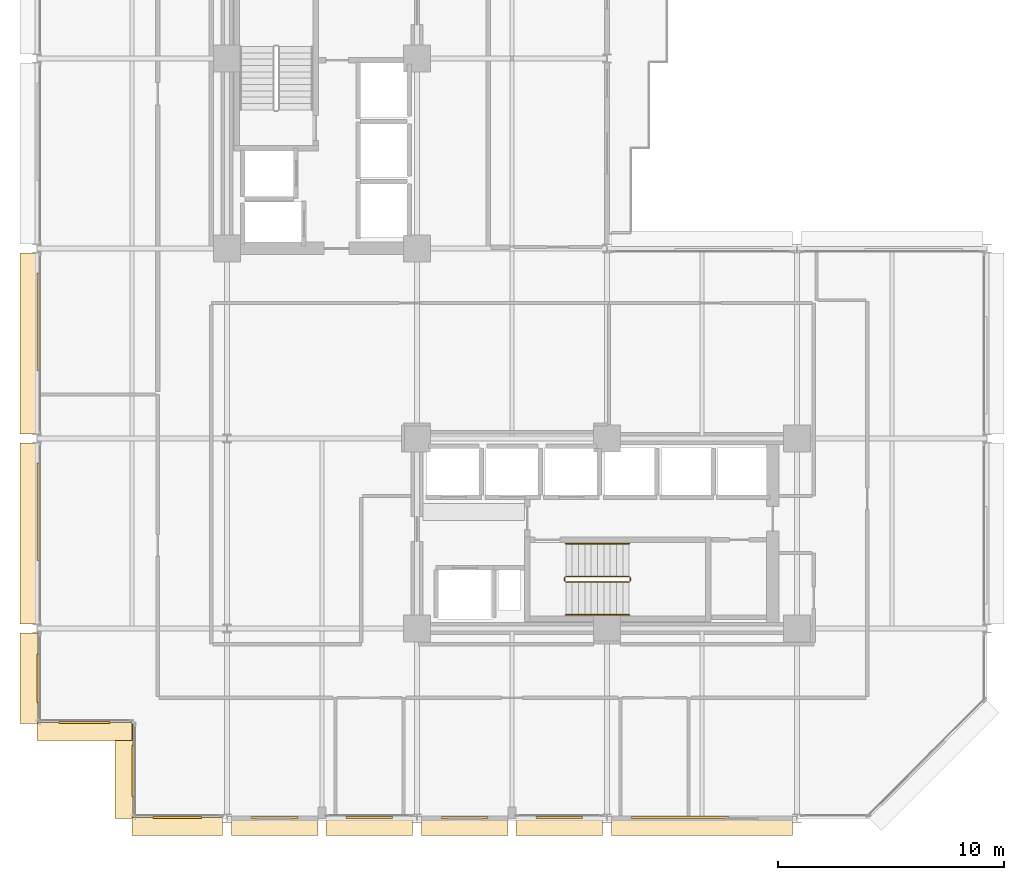
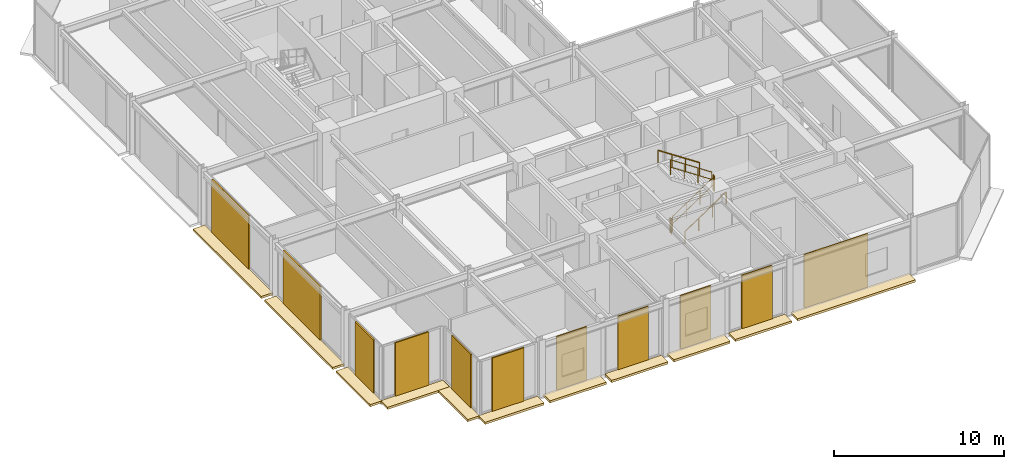
# One storey, part 27 of 30: 22 coverings, 6 railings.
"""IFC4 building model written with IfcOpenShell, lengths in metres."""

from ifc_helpers import new_model, si_unit, direction, frame, origin, origin_2d, place, context, subcontext, project, spatial, polyline, rectangle, circle, outline, extrude, material, layer, layer_set, type_object, element, save


model = new_model("IFC4")

# Units and contexts
model_context = context("Model", 3, precision=1e-05, world=origin(), true_north=direction((0.0, 1.0)))
body_context = subcontext(model_context, "Body", "Model", "MODEL_VIEW")
ifc_project = project(units=[si_unit("LENGTHUNIT", "METRE"), si_unit("AREAUNIT", "SQUARE_METRE"), si_unit("VOLUMEUNIT", "CUBIC_METRE"), si_unit("PLANEANGLEUNIT", "RADIAN"), si_unit("MASSUNIT", "GRAM", prefix="KILO")], contexts=[model_context])

# Site, building, storey
site_placement = place(None, origin())
site = spatial("IfcSite", under=ifc_project, at=site_placement, CompositionType="ELEMENT")
building_placement = place(site_placement, origin())
building = spatial("IfcBuilding", under=site, at=building_placement, Name="Nerrivon Quay Data Exchange", CompositionType="ELEMENT")
storey_placement = place(building_placement, frame((0.0, 0.0, 117.199951171875)))
storey = spatial("IfcBuildingStorey", under=building, at=storey_placement, Name="L27", CompositionType="ELEMENT", Elevation=117.199951171875)

# Coverings
ifc_material_1 = material(Name="Architectural terracotta ceramic", Category="masonry")
ifc_layer_1 = layer(ifc_material_1, 0.159912109375)
ifc_layer_set_1 = layer_set([ifc_layer_1], Name="Architectural terracotta ceramic")
covering_type_1 = type_object("IfcCoveringType", Name="COV-BLD-TERR", PredefinedType="CLADDING", material=ifc_layer_set_1)
covering_1_placement = place(storey_placement, frame((0.0, 0.0, -0.159912109375)))
element("IfcCovering", 1, at=covering_1_placement, inside=storey, type_object=covering_type_1, Name="L27 Horizontal Terracotta SOLAR SCREEN Blade", PredefinedType="CLADDING", context=body_context, shape_type="SweptSolid", body=[
    extrude(outline(polyline([(33.39990234375, 0.0400390625), (25.39990234375, 0.0400390625), (25.39990234375, -0.75), (33.39990234375, -0.75), (33.39990234375, 0.0400390625)])), origin(), (0.0, 0.0, 1.0), 0.159912109375),
])
covering_2_placement = place(storey_placement, frame((0.0, 0.0, -0.159912109375)))
element("IfcCovering", 2, at=covering_2_placement, inside=storey, type_object=covering_type_1, Name="L27 Horizontal Terracotta SOLAR SCREEN Blade", PredefinedType="CLADDING", context=body_context, shape_type="SweptSolid", body=[
    extrude(outline(polyline([(25.0, 0.0400390625), (21.175048828125, 0.0400390625), (21.175048828125, -0.75), (25.0, -0.75), (25.0, 0.0400390625)])), origin(), (0.0, 0.0, 1.0), 0.159912109375),
])
covering_3_placement = place(storey_placement, frame((0.0, 0.0, -0.159912109375)))
element("IfcCovering", 3, at=covering_3_placement, inside=storey, type_object=covering_type_1, Name="L27 Horizontal Terracotta SOLAR SCREEN Blade", PredefinedType="CLADDING", context=body_context, shape_type="SweptSolid", body=[
    extrude(outline(polyline([(20.824951171875, 0.0400390625), (17.0, 0.0400390625), (17.0, -0.75), (20.824951171875, -0.75), (20.824951171875, 0.0400390625)])), origin(), (0.0, 0.0, 1.0), 0.159912109375),
])
covering_4_placement = place(storey_placement, frame((0.0, 0.0, -0.159912109375)))
element("IfcCovering", 4, at=covering_4_placement, inside=storey, type_object=covering_type_1, Name="L27 Horizontal Terracotta SOLAR SCREEN Blade", PredefinedType="CLADDING", context=body_context, shape_type="SweptSolid", body=[
    extrude(outline(polyline([(16.60009765625, 0.0400390625), (12.77490234375, 0.0400390625), (12.77490234375, -0.75), (16.60009765625, -0.75), (16.60009765625, 0.0400390625)])), origin(), (0.0, 0.0, 1.0), 0.159912109375),
])
covering_5_placement = place(storey_placement, frame((0.0, 0.0, -0.159912109375)))
element("IfcCovering", 5, at=covering_5_placement, inside=storey, type_object=covering_type_1, Name="L27 Horizontal Terracotta SOLAR SCREEN Blade", PredefinedType="CLADDING", context=body_context, shape_type="SweptSolid", body=[
    extrude(outline(polyline([(12.425048828125, 0.0400390625), (8.60009765625, 0.0400390625), (8.60009765625, -0.75), (12.425048828125, -0.75), (12.425048828125, 0.0400390625)])), origin(), (0.0, 0.0, 1.0), 0.159912109375),
])
covering_6_placement = place(storey_placement, frame((0.0, 0.0, -0.159912109375)))
element("IfcCovering", 6, at=covering_6_placement, inside=storey, type_object=covering_type_1, Name="L27 Horizontal Terracotta SOLAR SCREEN Blade", PredefinedType="CLADDING", context=body_context, shape_type="SweptSolid", body=[
    extrude(outline(polyline([(8.199951171875, 0.0400390625), (4.199951171875, 0.0400390625), (4.199951171875, -0.75), (8.199951171875, -0.75), (8.199951171875, 0.0400390625)])), origin(), (0.0, 0.0, 1.0), 0.159912109375),
])
covering_7_placement = place(storey_placement, frame((0.0, 0.0, -0.159912109375)))
element("IfcCovering", 7, at=covering_7_placement, inside=storey, type_object=covering_type_1, Name="L27 Horizontal Terracotta SOLAR SCREEN Blade", PredefinedType="CLADDING", context=body_context, shape_type="SweptSolid", body=[
    extrude(outline(polyline([(4.239990234375, 0.0), (4.239990234375, 4.199951171875), (3.449951171875, 4.199951171875), (3.449951171875, 0.0), (4.239990234375, 0.0)])), origin(), (0.0, 0.0, 1.0), 0.159912109375),
])
covering_8_placement = place(storey_placement, frame((0.0, 0.0, -0.159912109375)))
element("IfcCovering", 8, at=covering_8_placement, inside=storey, type_object=covering_type_1, Name="L27 Horizontal Terracotta SOLAR SCREEN Blade", PredefinedType="CLADDING", context=body_context, shape_type="SweptSolid", body=[
    extrude(outline(polyline([(4.199951171875, 4.239990234375), (0.0, 4.239990234375), (0.0, 3.449951171875), (4.199951171875, 3.449951171875), (4.199951171875, 4.239990234375)])), origin(), (0.0, 0.0, 1.0), 0.159912109375),
])
covering_9_placement = place(storey_placement, frame((0.0, 0.0, -0.159912109375)))
element("IfcCovering", 9, at=covering_9_placement, inside=storey, type_object=covering_type_1, Name="L27 Horizontal Terracotta SOLAR SCREEN Blade", PredefinedType="CLADDING", context=body_context, shape_type="SweptSolid", body=[
    extrude(outline(polyline([(0.0400390625, 4.199951171875), (0.0400390625, 8.199951171875), (-0.75, 8.199951171875), (-0.75, 4.199951171875), (0.0400390625, 4.199951171875)])), origin(), (0.0, 0.0, 1.0), 0.159912109375),
])
covering_10_placement = place(storey_placement, frame((0.0, 0.0, -0.159912109375)))
element("IfcCovering", 10, at=covering_10_placement, inside=storey, type_object=covering_type_1, Name="L27 Horizontal Terracotta SOLAR SCREEN Blade", PredefinedType="CLADDING", context=body_context, shape_type="SweptSolid", body=[
    extrude(outline(polyline([(0.0400390625, 8.60009765625), (0.0400390625, 16.60009765625), (-0.75, 16.60009765625), (-0.75, 8.60009765625), (0.0400390625, 8.60009765625)])), origin(), (0.0, 0.0, 1.0), 0.159912109375),
])
covering_11_placement = place(storey_placement, frame((0.0, 0.0, -0.159912109375)))
element("IfcCovering", 11, at=covering_11_placement, inside=storey, type_object=covering_type_1, Name="L27 Horizontal Terracotta SOLAR SCREEN Blade", PredefinedType="CLADDING", context=body_context, shape_type="SweptSolid", body=[
    extrude(outline(polyline([(0.0400390625, 17.0), (0.0400390625, 25.0), (-0.75, 25.0), (-0.75, 17.0), (0.0400390625, 17.0)])), origin(), (0.0, 0.0, 1.0), 0.159912109375),
])
ifc_layer_2 = layer(ifc_material_1, 0.090087890625)
ifc_layer_set_2 = layer_set([ifc_layer_2], Name="Architectural terracotta ceramic")
covering_type_2 = type_object("IfcCoveringType", Name="COV-SCR-TERR", PredefinedType="CLADDING", material=ifc_layer_set_2)
covering_12_placement = place(storey_placement, frame((28.43994140625, 0.044921875, 0.0), z_axis=(0.0, 0.0, 1.0), x_axis=(-1.0, 0.0, 0.0)))
element("IfcCovering", 12, at=covering_12_placement, inside=storey, type_object=covering_type_2, Name="L27 Perforated Terracotta SOLAR SCREEN Cassette", PredefinedType="CLADDING", context=body_context, shape_type="SweptSolid", body=[
    extrude(rectangle(XDim=4.320068359375, YDim=0.090087890625, at=origin_2d()), origin(), (0.0, 0.0, 1.0), 3.824951171875),
])
for number, where, z_axis, x_axis, name in (
    (13, (23.08740234375, 0.044921875, 0.0), (0.0, 0.0, 1.0), (-1.0, 0.0, 0.0), "L27 Perforated Terracotta SOLAR SCREEN Cassette"),
    (14, (18.91259765625, 0.044921875, 0.0), (0.0, 0.0, 1.0), (-1.0, 0.0, 0.0), "L27 Perforated Terracotta SOLAR SCREEN Cassette"),
):
    element("IfcCovering", number, at=place(storey_placement, frame(where, z_axis=z_axis, x_axis=x_axis)), inside=storey, type_object=covering_type_2, Name=name, PredefinedType="CLADDING", context=body_context, shape_type="SweptSolid", body=[
        extrude(rectangle(XDim=2.06494140625, YDim=0.090087890625, at=origin_2d()), origin(), (0.0, 0.0, 1.0), 3.824951171875),
    ])
for number, where, z_axis, x_axis, name in (
    (15, (14.6875, 0.044921875, 0.0), (0.0, 0.0, 1.0), (-1.0, 0.0, 0.0), "L27 Perforated Terracotta SOLAR SCREEN Cassette"),
    (16, (10.512451171875, 0.044921875, 0.0), (0.0, 0.0, 1.0), (-1.0, 0.0, 0.0), "L27 Perforated Terracotta SOLAR SCREEN Cassette"),
):
    element("IfcCovering", number, at=place(storey_placement, frame(where, z_axis=z_axis, x_axis=x_axis)), inside=storey, type_object=covering_type_2, Name=name, PredefinedType="CLADDING", context=body_context, shape_type="SweptSolid", body=[
        extrude(rectangle(XDim=2.06591796875, YDim=0.090087890625, at=origin_2d()), origin(), (0.0, 0.0, 1.0), 3.824951171875),
    ])
covering_13_placement = place(storey_placement, frame((6.199951171875, 0.044921875, 0.0), z_axis=(0.0, 0.0, 1.0), x_axis=(-1.0, 0.0, 0.0)))
element("IfcCovering", 17, at=covering_13_placement, inside=storey, type_object=covering_type_2, Name="L27 Perforated Terracotta SOLAR SCREEN Cassette", PredefinedType="CLADDING", context=body_context, shape_type="SweptSolid", body=[
    extrude(rectangle(XDim=2.159912109375, YDim=0.090087890625, at=origin_2d()), origin(), (0.0, 0.0, 1.0), 3.824951171875),
])
for number, where, z_axis, x_axis, name in (
    (18, (4.2451171875, 2.10009765625, 0.0), (0.0, 0.0, 1.0), (0.0, 1.0, 0.0), "L27 Perforated Terracotta SOLAR SCREEN Cassette"),
    (19, (2.10009765625, 4.2451171875, 0.0), (0.0, 0.0, 1.0), (-1.0, 0.0, 0.0), "L27 Perforated Terracotta SOLAR SCREEN Cassette"),
):
    element("IfcCovering", number, at=place(storey_placement, frame(where, z_axis=z_axis, x_axis=x_axis)), inside=storey, type_object=covering_type_2, Name=name, PredefinedType="CLADDING", context=body_context, shape_type="SweptSolid", body=[
        extrude(rectangle(XDim=2.26806640625, YDim=0.090087890625, at=origin_2d()), origin(), (0.0, 0.0, 1.0), 3.824951171875),
    ])
covering_14_placement = place(storey_placement, frame((0.044921875, 6.199951171875, 0.0), z_axis=(0.0, 0.0, 1.0), x_axis=(0.0, 1.0, 0.0)))
element("IfcCovering", 20, at=covering_14_placement, inside=storey, type_object=covering_type_2, Name="L27 Perforated Terracotta SOLAR SCREEN Cassette", PredefinedType="CLADDING", context=body_context, shape_type="SweptSolid", body=[
    extrude(rectangle(XDim=2.159912109375, YDim=0.090087890625, at=origin_2d()), origin(), (0.0, 0.0, 1.0), 3.824951171875),
])
for number, where, z_axis, x_axis, name in (
    (21, (0.044921875, 13.56005859375, 0.0), (0.0, 0.0, 1.0), (0.0, 1.0, 0.0), "L27 Perforated Terracotta SOLAR SCREEN Cassette"),
    (22, (0.044921875, 21.9599609375, 0.0), (0.0, 0.0, 1.0), (0.0, 1.0, 0.0), "L27 Perforated Terracotta SOLAR SCREEN Cassette"),
):
    element("IfcCovering", number, at=place(storey_placement, frame(where, z_axis=z_axis, x_axis=x_axis)), inside=storey, type_object=covering_type_2, Name=name, PredefinedType="CLADDING", context=body_context, shape_type="SweptSolid", body=[
        extrude(rectangle(XDim=4.320068359375, YDim=0.090087890625, at=origin_2d()), origin(), (0.0, 0.0, 1.0), 3.824951171875),
    ])

# Railings
ifc_material_2 = material(Name="Steel Grade C350L0 (350 MPa)", Category="steel")
railing_type_1 = type_object("IfcRailingType", Name="RAIL-HAND-HR1", PredefinedType="HANDRAIL", material=ifc_material_2)
railing_1_placement = place(storey_placement, frame((23.3798828125, 9.0, 0.1865234375)))
element("IfcRailing", 23, at=railing_1_placement, inside=storey, type_object=railing_type_1, Name="L27 ST02 stair handrail 1", PredefinedType="HANDRAIL", context=body_context, shape_type="SweptSolid", body=[
    extrude(circle(Radius=0.02392578125, at=origin_2d()), frame((0.0, 0.0, 0.8759765625), z_axis=(0.832485552168, 0.0, 0.554046753832), x_axis=(0.0, 1.0, 0.0)), (0.0, 0.0, 1.0), 3.363525390625),
    extrude(circle(Radius=0.02099609375, at=origin_2d()), origin(), (0.0, 0.0, 1.0), 0.851806640625),
    extrude(circle(Radius=0.02099609375, at=origin_2d()), frame((0.933349609375, 0.0, 0.62109375)), (0.0, 0.0, 1.0), 0.851806640625),
    extrude(circle(Radius=0.02099609375, at=origin_2d()), frame((1.86669921875, 0.0, 1.242431640625)), (0.0, 0.0, 1.0), 0.851806640625),
    extrude(circle(Radius=0.02099609375, at=origin_2d()), frame((2.800048828125, 0.0, 1.863525390625)), (0.0, 0.0, 1.0), 0.851806640625),
])
railing_2_placement = place(storey_placement, frame((26.179931640625, 12.14990234375, 2.236328125)))
element("IfcRailing", 24, at=railing_2_placement, inside=storey, type_object=railing_type_1, Name="L27 ST02 stair handrail 2", PredefinedType="HANDRAIL", context=body_context, shape_type="SweptSolid", body=[
    extrude(circle(Radius=0.02392578125, at=origin_2d()), frame((0.0, 0.0, 0.8759765625), z_axis=(-0.832452072856, 0.0, 0.554097055034), x_axis=(0.0, -1.0, 0.0)), (0.0, 0.0, 1.0), 3.363525390625),
    extrude(circle(Radius=0.02099609375, at=origin_2d()), origin(), (0.0, 0.0, 1.0), 0.851806640625),
    extrude(circle(Radius=0.02099609375, at=origin_2d()), frame((-0.933349609375, 0.0, 0.621337890625)), (0.0, 0.0, 1.0), 0.851806640625),
    extrude(circle(Radius=0.02099609375, at=origin_2d()), frame((-1.86669921875, 0.0, 1.242431640625)), (0.0, 0.0, 1.0), 0.851806640625),
    extrude(circle(Radius=0.02099609375, at=origin_2d()), frame((-2.800048828125, 0.0, 1.86376953125)), (0.0, 0.0, 1.0), 0.851806640625),
])
railing_type_2 = type_object("IfcRailingType", Name="RAIL-STAIR-GR1", PredefinedType="BALUSTRADE", material=ifc_material_2)
railing_3_placement = place(storey_placement, frame((23.3798828125, 10.449951171875, 0.1865234375)))
element("IfcRailing", 25, at=railing_3_placement, inside=storey, type_object=railing_type_2, Name="L27 ST02 stair guard 1", PredefinedType="BALUSTRADE", context=body_context, shape_type="SweptSolid", body=[
    extrude(circle(Radius=0.02392578125, at=origin_2d()), frame((0.0, 0.0, 1.076171875), z_axis=(0.832485552168, 0.0, 0.554046753832), x_axis=(0.0, 1.0, 0.0)), (0.0, 0.0, 1.0), 3.363525390625),
    extrude(circle(Radius=0.02392578125, at=origin_2d()), frame((0.0, 0.0, 0.550048828125), z_axis=(0.832485552168, 0.0, 0.554046753832), x_axis=(0.0, 1.0, 0.0)), (0.0, 0.0, 1.0), 3.363525390625),
    extrude(circle(Radius=0.02099609375, at=origin_2d()), origin(), (0.0, 0.0, 1.0), 1.052001953125),
    extrude(circle(Radius=0.02099609375, at=origin_2d()), frame((0.933349609375, 0.0, 0.62109375)), (0.0, 0.0, 1.0), 1.052001953125),
    extrude(circle(Radius=0.02099609375, at=origin_2d()), frame((1.86669921875, 0.0, 1.242431640625)), (0.0, 0.0, 1.0), 1.052001953125),
    extrude(circle(Radius=0.02099609375, at=origin_2d()), frame((2.800048828125, 0.0, 1.863525390625)), (0.0, 0.0, 1.0), 1.052001953125),
])
railing_4_placement = place(storey_placement, frame((26.22998046875, 10.5, 2.050048828125)))
element("IfcRailing", 26, at=railing_4_placement, inside=storey, type_object=railing_type_2, Name="L27 ST02 stair guard 2", PredefinedType="BALUSTRADE", context=body_context, shape_type="SweptSolid", body=[
    extrude(circle(Radius=0.02392578125, at=origin_2d()), frame((0.0, 0.0, 1.076171875), z_axis=(0.0, 1.0, 0.0), x_axis=(-1.0, 0.0, 0.0)), (0.0, 0.0, 1.0), 0.14990234375),
    extrude(circle(Radius=0.02392578125, at=origin_2d()), frame((0.0, 0.0, 0.550048828125), z_axis=(0.0, 1.0, 0.0), x_axis=(-1.0, 0.0, 0.0)), (0.0, 0.0, 1.0), 0.14990234375),
    extrude(circle(Radius=0.02099609375, at=origin_2d()), origin(), (0.0, 0.0, 1.0), 1.052001953125),
    extrude(circle(Radius=0.02099609375, at=origin_2d()), frame((0.0, 0.14990234375, 0.0)), (0.0, 0.0, 1.0), 1.052001953125),
])
railing_5_placement = place(storey_placement, frame((26.179931640625, 10.699951171875, 2.236328125)))
element("IfcRailing", 27, at=railing_5_placement, inside=storey, type_object=railing_type_2, Name="L27 ST02 stair guard 3", PredefinedType="BALUSTRADE", context=body_context, shape_type="SweptSolid", body=[
    extrude(circle(Radius=0.02392578125, at=origin_2d()), frame((0.0, 0.0, 1.076171875), z_axis=(-0.832452072856, 0.0, 0.554097055034), x_axis=(0.0, -1.0, 0.0)), (0.0, 0.0, 1.0), 3.363525390625),
    extrude(circle(Radius=0.02392578125, at=origin_2d()), frame((0.0, 0.0, 0.550048828125), z_axis=(-0.832452072856, 0.0, 0.554097055034), x_axis=(0.0, -1.0, 0.0)), (0.0, 0.0, 1.0), 3.363525390625),
    extrude(circle(Radius=0.02099609375, at=origin_2d()), origin(), (0.0, 0.0, 1.0), 1.052001953125),
    extrude(circle(Radius=0.02099609375, at=origin_2d()), frame((-0.933349609375, 0.0, 0.621337890625)), (0.0, 0.0, 1.0), 1.052001953125),
    extrude(circle(Radius=0.02099609375, at=origin_2d()), frame((-1.86669921875, 0.0, 1.242431640625)), (0.0, 0.0, 1.0), 1.052001953125),
    extrude(circle(Radius=0.02099609375, at=origin_2d()), frame((-2.800048828125, 0.0, 1.86376953125)), (0.0, 0.0, 1.0), 1.052001953125),
])
railing_6_placement = place(storey_placement, frame((23.330078125, 10.5, 0.0)))
element("IfcRailing", 28, at=railing_6_placement, inside=storey, type_object=railing_type_2, Name="L27 ST02 stair guard 4", PredefinedType="BALUSTRADE", context=body_context, shape_type="SweptSolid", body=[
    extrude(circle(Radius=0.02392578125, at=origin_2d()), frame((0.0, 0.0, 1.076171875), z_axis=(0.0, 1.0, 0.0), x_axis=(-1.0, 0.0, 0.0)), (0.0, 0.0, 1.0), 0.14990234375),
    extrude(circle(Radius=0.02392578125, at=origin_2d()), frame((0.0, 0.0, 0.550048828125), z_axis=(0.0, 1.0, 0.0), x_axis=(-1.0, 0.0, 0.0)), (0.0, 0.0, 1.0), 0.14990234375),
    extrude(circle(Radius=0.02099609375, at=origin_2d()), origin(), (0.0, 0.0, 1.0), 1.052001953125),
    extrude(circle(Radius=0.02099609375, at=origin_2d()), frame((0.0, 0.14990234375, 0.0)), (0.0, 0.0, 1.0), 1.052001953125),
])

save(model, "model.ifc")
